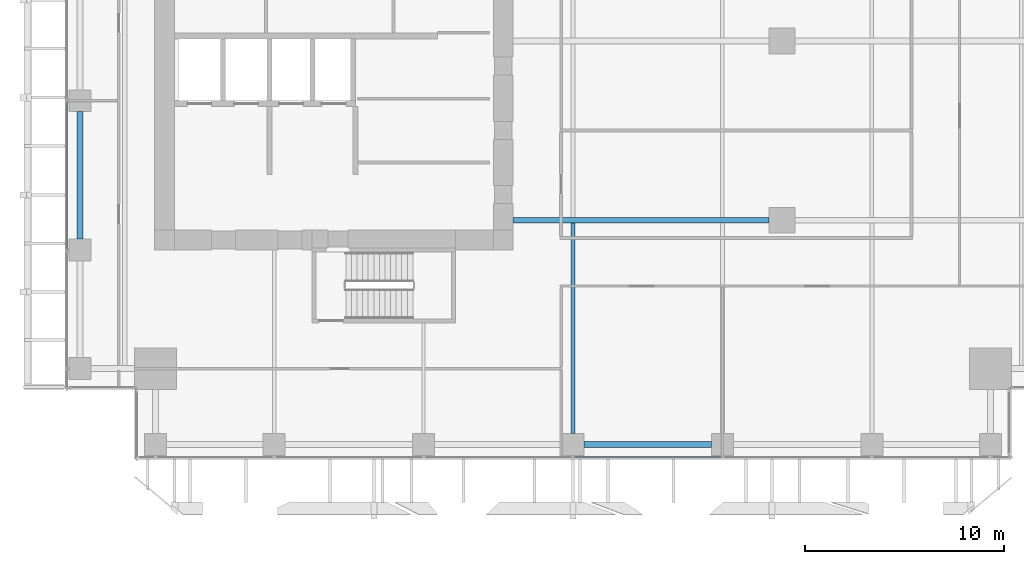
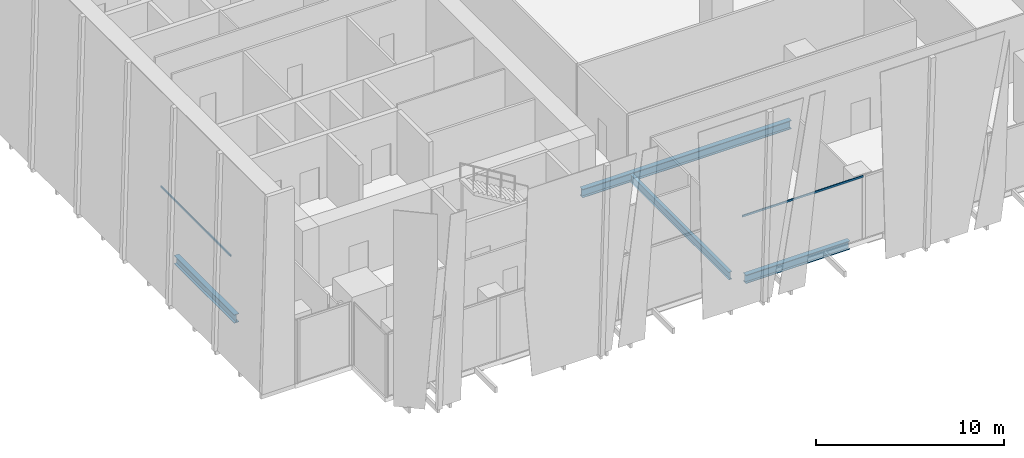
# One storey, part 4 of 35: 4 beams, 2 members, 2 elements without a shape of their own.
"""IFC4 building model written with IfcOpenShell, lengths in metres."""

from ifc_helpers import new_model, si_unit, direction, frame, origin, origin_2d, place, context, subcontext, project, spatial, hollow_rectangle, i_section, extrude, source, transform, mapped, material, material_profile, profile_set, type_object, element, aggregate, save


model = new_model("IFC4")

# Units and contexts
model_context = context("Model", 3, precision=1e-05, world=origin(), true_north=direction((0.0, 1.0)))
body_context = subcontext(model_context, "Body", "Model", "MODEL_VIEW")
ifc_project = project(units=[si_unit("LENGTHUNIT", "METRE"), si_unit("AREAUNIT", "SQUARE_METRE"), si_unit("VOLUMEUNIT", "CUBIC_METRE"), si_unit("PLANEANGLEUNIT", "RADIAN"), si_unit("MASSUNIT", "GRAM", prefix="KILO")], contexts=[model_context])

# Site, building, storey
site_placement = place(None, origin())
site = spatial("IfcSite", under=ifc_project, at=site_placement, CompositionType="ELEMENT")
building_placement = place(site_placement, origin())
building = spatial("IfcBuilding", under=site, at=building_placement, Name="Khomas Fold Tower", CompositionType="ELEMENT")
storey_placement = place(building_placement, frame((0.0, 0.0, 127.89990234375)))
storey = spatial("IfcBuildingStorey", under=building, at=storey_placement, Name="L27", CompositionType="ELEMENT", Elevation=127.89990234375)

# Beams
ifc_material_1 = material(Name="Steel S355", Category="steel")
ifc_material_profile_1 = material_profile(ifc_material_1, i_section(OverallWidth=0.300048828125, OverallDepth=0.550048828125, WebThickness=0.014892578125, FlangeThickness=0.029052734375, at=origin_2d()), Name="HE 550 B")
ifc_profile_set_1 = profile_set([ifc_material_profile_1], Name="Steel S355")
beam_type_1 = type_object("IfcBeamType", Name="HE 550 B spandrel SB2", PredefinedType="SPANDREL", material=ifc_profile_set_1)
shared_shape_1 = source(origin(), body_context, "Body", "SweptSolid", [
    extrude(i_section(OverallWidth=0.300048828125, OverallDepth=0.550048828125, WebThickness=0.014892578125, FlangeThickness=0.029052734375, at=origin_2d()), origin(), (0.0, 0.0, 1.0), 6.39990234375),
])
for number, where, z_axis, x_axis, name in (
    (1, (27.550048828125, 2.25, -0.574951171875), (1.0, 0.0, 0.0), (0.0, 1.0, 0.0), "SB2"),
    (2, (2.25, 12.550048828125, -0.574951171875), (0.0, 1.0, 0.0), (-1.0, 0.0, 0.0), "SB2"),
):
    element("IfcBeam", number, at=place(storey_placement, frame(where, z_axis=z_axis, x_axis=x_axis)), inside=storey, type_object=beam_type_1, Name=name, PredefinedType="SPANDREL", context=body_context, shape_type="MappedRepresentation", body=[
        mapped(shared_shape_1, transform((0.0, 0.0, 0.0))),
    ])
ifc_material_2 = material(Name="Steel S355", Category="steel")
ifc_material_profile_2 = material_profile(ifc_material_2, i_section(OverallWidth=0.300048828125, OverallDepth=0.550048828125, WebThickness=0.014892578125, FlangeThickness=0.029052734375, at=origin_2d()), Name="HE 550 B")
ifc_profile_set_2 = profile_set([ifc_material_profile_2], Name="Steel S355")
beam_type_2 = type_object("IfcBeamType", Name="HE 550 B beam GB4", PredefinedType="BEAM", material=ifc_profile_set_2)
shared_shape_2 = source(origin(), body_context, "Body", "SweptSolid", [
    extrude(i_section(OverallWidth=0.300048828125, OverallDepth=0.550048828125, WebThickness=0.014892578125, FlangeThickness=0.029052734375, at=origin_2d()), origin(), (0.0, 0.0, 1.0), 12.85009765625),
])
beam_1_placement = place(storey_placement, frame((24.0, 13.5, -0.574951171875), z_axis=(1.0, 0.0, 0.0), x_axis=(0.0, 1.0, 0.0)))
element("IfcBeam", 3, at=beam_1_placement, inside=storey, type_object=beam_type_2, Name="GB4", PredefinedType="BEAM", context=body_context, shape_type="MappedRepresentation", body=[
    mapped(shared_shape_2, transform((0.0, 0.0, 0.0))),
])
ifc_material_3 = material(Name="Steel S355", Category="steel")
ifc_material_profile_3 = material_profile(ifc_material_3, i_section(OverallWidth=0.199951171875, OverallDepth=0.5, WebThickness=0.01025390625, FlangeThickness=0.01611328125, at=origin_2d()), Name="IPE 500")
ifc_profile_set_3 = profile_set([ifc_material_profile_3], Name="Steel S355")
beam_type_3 = type_object("IfcBeamType", Name="IPE 500 beam JB5", PredefinedType="BEAM", material=ifc_profile_set_3)
shared_shape_3 = source(origin(), body_context, "Body", "SweptSolid", [
    extrude(i_section(OverallWidth=0.199951171875, OverallDepth=0.5, WebThickness=0.01025390625, FlangeThickness=0.01611328125, at=origin_2d()), origin(), (0.0, 0.0, 1.0), 10.550048828125),
])
beam_2_placement = place(storey_placement, frame((27.0, 2.800048828125, -0.5498046875), z_axis=(0.0, 1.0, 0.0), x_axis=(-1.0, 0.0, 0.0)))
element("IfcBeam", 4, at=beam_2_placement, inside=storey, type_object=beam_type_3, Name="JB5", PredefinedType="BEAM", context=body_context, shape_type="MappedRepresentation", body=[
    mapped(shared_shape_3, transform((0.0, 0.0, 0.0))),
])

# Curtain wall, member
ifc_material_4 = material(Name="Aluminium framed double glazing", Category="aluminium")
curtain_wall_type = type_object("IfcCurtainWallType", Name="SK-Unitised clear-glass wall, growing floors CW1", PredefinedType="NOTDEFINED", material=ifc_material_4)
curtain_wall_1_placement = place(storey_placement, origin())
curtain_wall_1 = element("IfcCurtainWall", 5, at=curtain_wall_1_placement, inside=storey, type_object=curtain_wall_type, Name="CW1 run L27 00-0", PredefinedType="NOTDEFINED")
ifc_material_5 = material(Name="Aluminium", Category="aluminium")
ifc_material_profile_4 = material_profile(ifc_material_5, hollow_rectangle(XDim=0.06005859375, YDim=0.1201171875, WallThickness=0.00390625, at=origin_2d()), Name="SK-Unitised clear-glass wall, growing floors transom CW1-T")
ifc_profile_set_4 = profile_set([ifc_material_profile_4], Name="Aluminium")
member_type = type_object("IfcMemberType", Name="SK-Unitised clear-glass wall, growing floors transom CW1-T", PredefinedType="USERDEFINED", material=ifc_profile_set_4)
shared_shape_4 = source(origin(), body_context, "Body", "SweptSolid", [
    extrude(hollow_rectangle(XDim=0.06005859375, YDim=0.1201171875, WallThickness=0.00390625, at=origin_2d()), origin(), (0.0, 0.0, 1.0), 7.43994140625),
])
member_1_placement = place(storey_placement, frame((27.030029296875, 1.60009765625, 4.0400390625), z_axis=(1.0, 0.0, 0.0), x_axis=(0.0, 1.0, 0.0)))
member_1 = element("IfcMember", 6, at=member_1_placement, type_object=member_type, Name="CW1 transom 5", ObjectType="TRANSOM", PredefinedType="USERDEFINED", context=body_context, shape_type="MappedRepresentation", body=[
    mapped(shared_shape_4, transform((0.0, 0.0, 0.0))),
])
aggregate(curtain_wall_1, [member_1])

curtain_wall_2_placement = place(storey_placement, origin())
curtain_wall_2 = element("IfcCurtainWall", 7, at=curtain_wall_2_placement, inside=storey, type_object=curtain_wall_type, Name="CW1 run L27 09-1", PredefinedType="NOTDEFINED")
member_2_placement = place(storey_placement, frame((1.60009765625, 19.469970703125, 4.0400390625), z_axis=(0.0, -1.0, 0.0), x_axis=(1.0, 0.0, 0.0)))
member_2 = element("IfcMember", 8, at=member_2_placement, type_object=member_type, Name="CW1 transom 3", ObjectType="TRANSOM", PredefinedType="USERDEFINED", context=body_context, shape_type="MappedRepresentation", body=[
    mapped(shared_shape_4, transform((0.0, 0.0, 0.0))),
])
aggregate(curtain_wall_2, [member_2])

save(model, "model.ifc")
